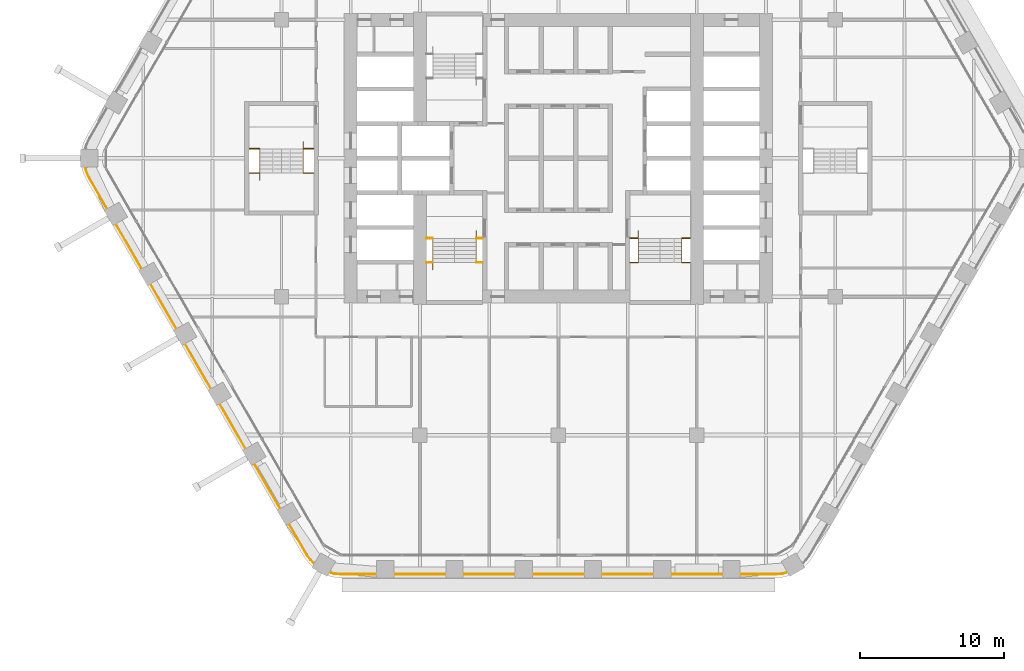
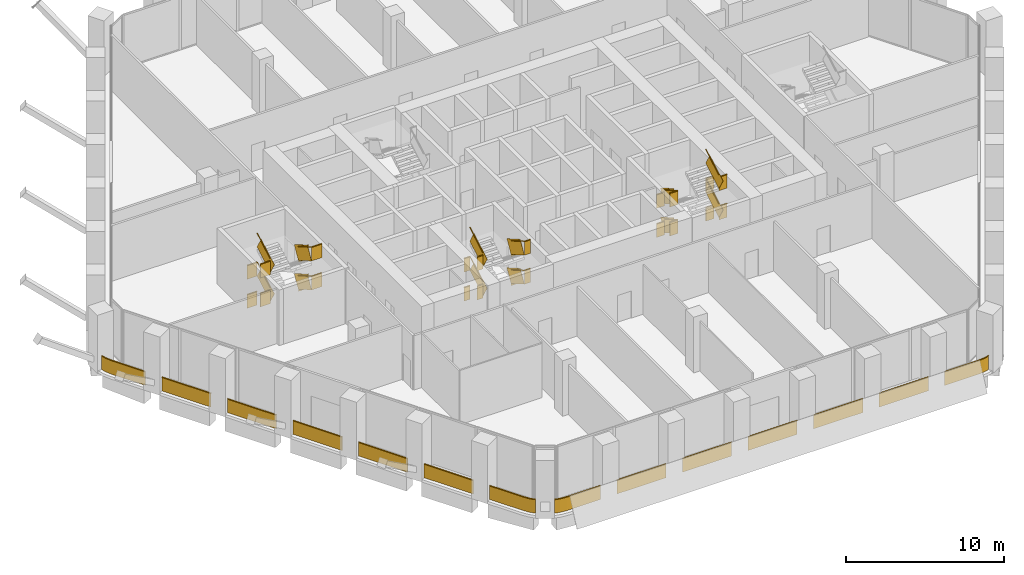
# One storey, part 25 of 27: 8 railings.
"""IFC4 building model written with IfcOpenShell, lengths in metres."""

from ifc_helpers import new_model, si_unit, direction, frame, frame_2d, origin, origin_2d, place, context, subcontext, project, spatial, rectangle, extrude, material, type_object, element, save


model = new_model("IFC4")

# Units and contexts
model_context = context("Model", 3, precision=1e-05, world=origin(), true_north=direction((0.0, 1.0)))
body_context = subcontext(model_context, "Body", "Model", "MODEL_VIEW")
ifc_project = project(units=[si_unit("LENGTHUNIT", "METRE"), si_unit("AREAUNIT", "SQUARE_METRE"), si_unit("VOLUMEUNIT", "CUBIC_METRE"), si_unit("PLANEANGLEUNIT", "RADIAN"), si_unit("MASSUNIT", "GRAM", prefix="KILO")], contexts=[model_context])

# Site, building, storey
site_placement = place(None, origin())
site = spatial("IfcSite", under=ifc_project, at=site_placement, CompositionType="ELEMENT")
building_placement = place(site_placement, origin())
building = spatial("IfcBuilding", under=site, at=building_placement, Name="Kolab Exchange Tower", CompositionType="ELEMENT")
storey_placement = place(building_placement, frame((0.0, 0.0, 118.39990234375)))
storey = spatial("IfcBuildingStorey", under=building, at=storey_placement, Name="L23", CompositionType="ELEMENT", Elevation=118.39990234375)

# Railings
ifc_material_1 = material(Name="Stainless steel 316", Category="steel")
railing_type_1 = type_object("IfcRailingType", Name="GUARD 1100", PredefinedType="GUARDRAIL", material=ifc_material_1)
railing_1_placement = place(storey_placement, frame((-9.14990234375, -5.550048828125, 0.0)))
element("IfcRailing", 1, at=railing_1_placement, inside=storey, type_object=railing_type_1, Name="Guard ST3", PredefinedType="GUARDRAIL", context=body_context, shape_type="SweptSolid", body=[
    extrude(rectangle(XDim=0.05, YDim=0.05, at=origin_2d()), frame((0.0, 0.0, 1.0751953125), z_axis=(1.0, 0.0, 0.0), x_axis=(0.0, 1.0, 0.0)), (0.0, 0.0, 1.0), 0.43994140625),
    extrude(rectangle(XDim=0.012, YDim=1.05009765625, at=frame_2d((0.0, 0.525146484375))), frame((0.0, 0.0, 0.0), z_axis=(1.0, 0.0, 0.0), x_axis=(0.0, 1.0, 0.0)), (0.0, 0.0, 1.0), 0.43994140625),
    extrude(rectangle(XDim=0.05, YDim=0.05, at=origin_2d()), frame((3.4599609375, 0.0, 1.0751953125), z_axis=(1.0, 0.0, 0.0), x_axis=(0.0, 1.0, 0.0)), (0.0, 0.0, 1.0), 0.43994140625),
    extrude(rectangle(XDim=0.012, YDim=1.05009765625, at=frame_2d((0.0, 0.525146484375))), frame((3.4599609375, 0.0, 0.0), z_axis=(1.0, 0.0, 0.0), x_axis=(0.0, 1.0, 0.0)), (0.0, 0.0, 1.0), 0.43994140625),
    extrude(rectangle(XDim=0.05, YDim=0.05, at=origin_2d()), frame((0.0, -1.679931640625, 2.2001953125), z_axis=(1.0, 0.0, 0.0), x_axis=(0.0, 1.0, 0.0)), (0.0, 0.0, 1.0), 0.43994140625),
    extrude(rectangle(XDim=0.012, YDim=1.05009765625, at=frame_2d((0.0, 0.525146484375))), frame((0.0, -1.679931640625, 1.125), z_axis=(1.0, 0.0, 0.0), x_axis=(0.0, 1.0, 0.0)), (0.0, 0.0, 1.0), 0.43994140625),
    extrude(rectangle(XDim=0.05, YDim=0.05, at=origin_2d()), frame((3.4599609375, -1.679931640625, 2.2001953125), z_axis=(1.0, 0.0, 0.0), x_axis=(0.0, 1.0, 0.0)), (0.0, 0.0, 1.0), 0.43994140625),
    extrude(rectangle(XDim=0.012, YDim=1.05009765625, at=frame_2d((0.0, 0.525146484375))), frame((3.4599609375, -1.679931640625, 1.125), z_axis=(1.0, 0.0, 0.0), x_axis=(0.0, 1.0, 0.0)), (0.0, 0.0, 1.0), 0.43994140625),
    extrude(rectangle(XDim=0.05, YDim=0.05, at=origin_2d()), frame((0.0, 0.0, 3.3251953125), z_axis=(1.0, 0.0, 0.0), x_axis=(0.0, 1.0, 0.0)), (0.0, 0.0, 1.0), 0.43994140625),
    extrude(rectangle(XDim=0.012, YDim=1.05009765625, at=frame_2d((0.0, 0.525146484375))), frame((0.0, 0.0, 2.25), z_axis=(1.0, 0.0, 0.0), x_axis=(0.0, 1.0, 0.0)), (0.0, 0.0, 1.0), 0.43994140625),
    extrude(rectangle(XDim=0.05, YDim=0.05, at=origin_2d()), frame((3.4599609375, 0.0, 3.3251953125), z_axis=(1.0, 0.0, 0.0), x_axis=(0.0, 1.0, 0.0)), (0.0, 0.0, 1.0), 0.43994140625),
    extrude(rectangle(XDim=0.012, YDim=1.05009765625, at=frame_2d((0.0, 0.525146484375))), frame((3.4599609375, 0.0, 2.25), z_axis=(1.0, 0.0, 0.0), x_axis=(0.0, 1.0, 0.0)), (0.0, 0.0, 1.0), 0.43994140625),
    extrude(rectangle(XDim=0.05, YDim=0.05, at=origin_2d()), frame((0.0, -1.679931640625, 4.4501953125), z_axis=(1.0, 0.0, 0.0), x_axis=(0.0, 1.0, 0.0)), (0.0, 0.0, 1.0), 0.43994140625),
    extrude(rectangle(XDim=0.012, YDim=1.05009765625, at=frame_2d((0.0, 0.525146484375))), frame((0.0, -1.679931640625, 3.375), z_axis=(1.0, 0.0, 0.0), x_axis=(0.0, 1.0, 0.0)), (0.0, 0.0, 1.0), 0.43994140625),
    extrude(rectangle(XDim=0.05, YDim=0.05, at=origin_2d()), frame((3.4599609375, -1.679931640625, 4.4501953125), z_axis=(1.0, 0.0, 0.0), x_axis=(0.0, 1.0, 0.0)), (0.0, 0.0, 1.0), 0.43994140625),
    extrude(rectangle(XDim=0.012, YDim=1.05009765625, at=frame_2d((0.0, 0.525146484375))), frame((3.4599609375, -1.679931640625, 3.375), z_axis=(1.0, 0.0, 0.0), x_axis=(0.0, 1.0, 0.0)), (0.0, 0.0, 1.0), 0.43994140625),
])
railing_2_placement = place(storey_placement, frame((-5.68994140625, -5.550048828125, 0.160888671875)))
element("IfcRailing", 2, at=railing_2_placement, inside=storey, type_object=railing_type_1, Name="Handrail guard ST3", PredefinedType="GUARDRAIL", context=body_context, shape_type="SweptSolid", body=[
    extrude(rectangle(XDim=0.05, YDim=0.05, at=origin_2d()), frame((0.0, 0.0, 1.0751953125), z_axis=(0.0, -0.867318599139, 0.497753400378), x_axis=(1.0, 0.0, 0.0)), (0.0, 0.0, 1.0), 1.93701171875),
    extrude(rectangle(XDim=0.012, YDim=1.05009765625, at=frame_2d((0.0, 0.525146484375))), frame((0.0, 0.0, 0.0), z_axis=(0.0, -0.867318599139, 0.497753400378), x_axis=(1.0, 0.0, 0.0)), (0.0, 0.0, 1.0), 1.93701171875),
    extrude(rectangle(XDim=0.05, YDim=0.05, at=origin_2d()), frame((-3.02001953125, -1.679931640625, 2.2001953125), z_axis=(0.0, 0.867318599139, 0.497753400378), x_axis=(-1.0, 0.0, 0.0)), (0.0, 0.0, 1.0), 1.93701171875),
    extrude(rectangle(XDim=0.012, YDim=1.05009765625, at=frame_2d((0.0, 0.525146484375))), frame((-3.02001953125, -1.679931640625, 1.125), z_axis=(0.0, 0.867318599139, 0.497753400378), x_axis=(-1.0, 0.0, 0.0)), (0.0, 0.0, 1.0), 1.93701171875),
    extrude(rectangle(XDim=0.05, YDim=0.05, at=origin_2d()), frame((0.0, 0.0, 3.3251953125), z_axis=(0.0, -0.867318599139, 0.497753400378), x_axis=(1.0, 0.0, 0.0)), (0.0, 0.0, 1.0), 1.93701171875),
    extrude(rectangle(XDim=0.012, YDim=1.05009765625, at=frame_2d((0.0, 0.525146484375))), frame((0.0, 0.0, 2.25), z_axis=(0.0, -0.867318599139, 0.497753400378), x_axis=(1.0, 0.0, 0.0)), (0.0, 0.0, 1.0), 1.93701171875),
    extrude(rectangle(XDim=0.05, YDim=0.05, at=origin_2d()), frame((-3.02001953125, -1.679931640625, 4.4501953125), z_axis=(0.0, 0.867318599139, 0.497753400378), x_axis=(-1.0, 0.0, 0.0)), (0.0, 0.0, 1.0), 1.93701171875),
    extrude(rectangle(XDim=0.012, YDim=1.05009765625, at=frame_2d((0.0, 0.525146484375))), frame((-3.02001953125, -1.679931640625, 3.375), z_axis=(0.0, 0.867318599139, 0.497753400378), x_axis=(-1.0, 0.0, 0.0)), (0.0, 0.0, 1.0), 1.93701171875),
])
railing_3_placement = place(storey_placement, frame((4.949951171875, -5.550048828125, 0.0)))
element("IfcRailing", 3, at=railing_3_placement, inside=storey, type_object=railing_type_1, Name="Guard ST2", PredefinedType="GUARDRAIL", context=body_context, shape_type="SweptSolid", body=[
    extrude(rectangle(XDim=0.05, YDim=0.05, at=origin_2d()), frame((0.0, 0.0, 1.0751953125), z_axis=(1.0, 0.0, 0.0), x_axis=(0.0, 1.0, 0.0)), (0.0, 0.0, 1.0), 0.590087890625),
    extrude(rectangle(XDim=0.012, YDim=1.05009765625, at=frame_2d((0.0, 0.525146484375))), frame((0.0, 0.0, 0.0), z_axis=(1.0, 0.0, 0.0), x_axis=(0.0, 1.0, 0.0)), (0.0, 0.0, 1.0), 0.590087890625),
    extrude(rectangle(XDim=0.05, YDim=0.05, at=origin_2d()), frame((3.610107421875, 0.0, 1.0751953125), z_axis=(1.0, 0.0, 0.0), x_axis=(0.0, 1.0, 0.0)), (0.0, 0.0, 1.0), 0.58984375),
    extrude(rectangle(XDim=0.012, YDim=1.05009765625, at=frame_2d((0.0, 0.525146484375))), frame((3.610107421875, 0.0, 0.0), z_axis=(1.0, 0.0, 0.0), x_axis=(0.0, 1.0, 0.0)), (0.0, 0.0, 1.0), 0.58984375),
    extrude(rectangle(XDim=0.05, YDim=0.05, at=origin_2d()), frame((0.0, -1.679931640625, 2.2001953125), z_axis=(1.0, 0.0, 0.0), x_axis=(0.0, 1.0, 0.0)), (0.0, 0.0, 1.0), 0.590087890625),
    extrude(rectangle(XDim=0.012, YDim=1.05009765625, at=frame_2d((0.0, 0.525146484375))), frame((0.0, -1.679931640625, 1.125), z_axis=(1.0, 0.0, 0.0), x_axis=(0.0, 1.0, 0.0)), (0.0, 0.0, 1.0), 0.590087890625),
    extrude(rectangle(XDim=0.05, YDim=0.05, at=origin_2d()), frame((3.610107421875, -1.679931640625, 2.2001953125), z_axis=(1.0, 0.0, 0.0), x_axis=(0.0, 1.0, 0.0)), (0.0, 0.0, 1.0), 0.58984375),
    extrude(rectangle(XDim=0.012, YDim=1.05009765625, at=frame_2d((0.0, 0.525146484375))), frame((3.610107421875, -1.679931640625, 1.125), z_axis=(1.0, 0.0, 0.0), x_axis=(0.0, 1.0, 0.0)), (0.0, 0.0, 1.0), 0.58984375),
    extrude(rectangle(XDim=0.05, YDim=0.05, at=origin_2d()), frame((0.0, 0.0, 3.3251953125), z_axis=(1.0, 0.0, 0.0), x_axis=(0.0, 1.0, 0.0)), (0.0, 0.0, 1.0), 0.590087890625),
    extrude(rectangle(XDim=0.012, YDim=1.05009765625, at=frame_2d((0.0, 0.525146484375))), frame((0.0, 0.0, 2.25), z_axis=(1.0, 0.0, 0.0), x_axis=(0.0, 1.0, 0.0)), (0.0, 0.0, 1.0), 0.590087890625),
    extrude(rectangle(XDim=0.05, YDim=0.05, at=origin_2d()), frame((3.610107421875, 0.0, 3.3251953125), z_axis=(1.0, 0.0, 0.0), x_axis=(0.0, 1.0, 0.0)), (0.0, 0.0, 1.0), 0.58984375),
    extrude(rectangle(XDim=0.012, YDim=1.05009765625, at=frame_2d((0.0, 0.525146484375))), frame((3.610107421875, 0.0, 2.25), z_axis=(1.0, 0.0, 0.0), x_axis=(0.0, 1.0, 0.0)), (0.0, 0.0, 1.0), 0.58984375),
    extrude(rectangle(XDim=0.05, YDim=0.05, at=origin_2d()), frame((0.0, -1.679931640625, 4.4501953125), z_axis=(1.0, 0.0, 0.0), x_axis=(0.0, 1.0, 0.0)), (0.0, 0.0, 1.0), 0.590087890625),
    extrude(rectangle(XDim=0.012, YDim=1.05009765625, at=frame_2d((0.0, 0.525146484375))), frame((0.0, -1.679931640625, 3.375), z_axis=(1.0, 0.0, 0.0), x_axis=(0.0, 1.0, 0.0)), (0.0, 0.0, 1.0), 0.590087890625),
    extrude(rectangle(XDim=0.05, YDim=0.05, at=origin_2d()), frame((3.610107421875, -1.679931640625, 4.4501953125), z_axis=(1.0, 0.0, 0.0), x_axis=(0.0, 1.0, 0.0)), (0.0, 0.0, 1.0), 0.58984375),
    extrude(rectangle(XDim=0.012, YDim=1.05009765625, at=frame_2d((0.0, 0.525146484375))), frame((3.610107421875, -1.679931640625, 3.375), z_axis=(1.0, 0.0, 0.0), x_axis=(0.0, 1.0, 0.0)), (0.0, 0.0, 1.0), 0.58984375),
])
railing_4_placement = place(storey_placement, frame((5.5400390625, -5.550048828125, 0.160888671875)))
element("IfcRailing", 4, at=railing_4_placement, inside=storey, type_object=railing_type_1, Name="Handrail guard ST2", PredefinedType="GUARDRAIL", context=body_context, shape_type="SweptSolid", body=[
    extrude(rectangle(XDim=0.05, YDim=0.05, at=origin_2d()), frame((0.0, 0.0, 1.0751953125), z_axis=(0.0, -0.867318599139, 0.497753400378), x_axis=(1.0, 0.0, 0.0)), (0.0, 0.0, 1.0), 1.93701171875),
    extrude(rectangle(XDim=0.012, YDim=1.05009765625, at=frame_2d((0.0, 0.525146484375))), frame((0.0, 0.0, 0.0), z_axis=(0.0, -0.867318599139, 0.497753400378), x_axis=(1.0, 0.0, 0.0)), (0.0, 0.0, 1.0), 1.93701171875),
    extrude(rectangle(XDim=0.05, YDim=0.05, at=origin_2d()), frame((3.02001953125, -1.679931640625, 2.2001953125), z_axis=(0.0, 0.867318599139, 0.497753400378), x_axis=(-1.0, 0.0, 0.0)), (0.0, 0.0, 1.0), 1.93701171875),
    extrude(rectangle(XDim=0.012, YDim=1.05009765625, at=frame_2d((0.0, 0.525146484375))), frame((3.02001953125, -1.679931640625, 1.125), z_axis=(0.0, 0.867318599139, 0.497753400378), x_axis=(-1.0, 0.0, 0.0)), (0.0, 0.0, 1.0), 1.93701171875),
    extrude(rectangle(XDim=0.05, YDim=0.05, at=origin_2d()), frame((0.0, 0.0, 3.3251953125), z_axis=(0.0, -0.867318599139, 0.497753400378), x_axis=(1.0, 0.0, 0.0)), (0.0, 0.0, 1.0), 1.93701171875),
    extrude(rectangle(XDim=0.012, YDim=1.05009765625, at=frame_2d((0.0, 0.525146484375))), frame((0.0, 0.0, 2.25), z_axis=(0.0, -0.867318599139, 0.497753400378), x_axis=(1.0, 0.0, 0.0)), (0.0, 0.0, 1.0), 1.93701171875),
    extrude(rectangle(XDim=0.05, YDim=0.05, at=origin_2d()), frame((3.02001953125, -1.679931640625, 4.4501953125), z_axis=(0.0, 0.867318599139, 0.497753400378), x_axis=(-1.0, 0.0, 0.0)), (0.0, 0.0, 1.0), 1.93701171875),
    extrude(rectangle(XDim=0.012, YDim=1.05009765625, at=frame_2d((0.0, 0.525146484375))), frame((3.02001953125, -1.679931640625, 3.375), z_axis=(0.0, 0.867318599139, 0.497753400378), x_axis=(-1.0, 0.0, 0.0)), (0.0, 0.0, 1.0), 1.93701171875),
])
railing_5_placement = place(storey_placement, frame((-21.449951171875, 0.64990234375, 0.0)))
element("IfcRailing", 5, at=railing_5_placement, inside=storey, type_object=railing_type_1, Name="Guard ST5", PredefinedType="GUARDRAIL", context=body_context, shape_type="SweptSolid", body=[
    extrude(rectangle(XDim=0.05, YDim=0.05, at=origin_2d()), frame((0.0, 0.0, 1.0751953125), z_axis=(1.0, 0.0, 0.0), x_axis=(0.0, 1.0, 0.0)), (0.0, 0.0, 1.0), 0.739990234375),
    extrude(rectangle(XDim=0.012, YDim=1.05009765625, at=frame_2d((0.0, 0.525146484375))), frame((0.0, 0.0, 0.0), z_axis=(1.0, 0.0, 0.0), x_axis=(0.0, 1.0, 0.0)), (0.0, 0.0, 1.0), 0.739990234375),
    extrude(rectangle(XDim=0.05, YDim=0.05, at=origin_2d()), frame((3.760009765625, 0.0, 1.0751953125), z_axis=(1.0, 0.0, 0.0), x_axis=(0.0, 1.0, 0.0)), (0.0, 0.0, 1.0), 0.739990234375),
    extrude(rectangle(XDim=0.012, YDim=1.05009765625, at=frame_2d((0.0, 0.525146484375))), frame((3.760009765625, 0.0, 0.0), z_axis=(1.0, 0.0, 0.0), x_axis=(0.0, 1.0, 0.0)), (0.0, 0.0, 1.0), 0.739990234375),
    extrude(rectangle(XDim=0.05, YDim=0.05, at=origin_2d()), frame((0.0, -1.679931640625, 2.2001953125), z_axis=(1.0, 0.0, 0.0), x_axis=(0.0, 1.0, 0.0)), (0.0, 0.0, 1.0), 0.739990234375),
    extrude(rectangle(XDim=0.012, YDim=1.05009765625, at=frame_2d((0.0, 0.525146484375))), frame((0.0, -1.679931640625, 1.125), z_axis=(1.0, 0.0, 0.0), x_axis=(0.0, 1.0, 0.0)), (0.0, 0.0, 1.0), 0.739990234375),
    extrude(rectangle(XDim=0.05, YDim=0.05, at=origin_2d()), frame((3.760009765625, -1.679931640625, 2.2001953125), z_axis=(1.0, 0.0, 0.0), x_axis=(0.0, 1.0, 0.0)), (0.0, 0.0, 1.0), 0.739990234375),
    extrude(rectangle(XDim=0.012, YDim=1.05009765625, at=frame_2d((0.0, 0.525146484375))), frame((3.760009765625, -1.679931640625, 1.125), z_axis=(1.0, 0.0, 0.0), x_axis=(0.0, 1.0, 0.0)), (0.0, 0.0, 1.0), 0.739990234375),
    extrude(rectangle(XDim=0.05, YDim=0.05, at=origin_2d()), frame((0.0, 0.0, 3.3251953125), z_axis=(1.0, 0.0, 0.0), x_axis=(0.0, 1.0, 0.0)), (0.0, 0.0, 1.0), 0.739990234375),
    extrude(rectangle(XDim=0.012, YDim=1.05009765625, at=frame_2d((0.0, 0.525146484375))), frame((0.0, 0.0, 2.25), z_axis=(1.0, 0.0, 0.0), x_axis=(0.0, 1.0, 0.0)), (0.0, 0.0, 1.0), 0.739990234375),
    extrude(rectangle(XDim=0.05, YDim=0.05, at=origin_2d()), frame((3.760009765625, 0.0, 3.3251953125), z_axis=(1.0, 0.0, 0.0), x_axis=(0.0, 1.0, 0.0)), (0.0, 0.0, 1.0), 0.739990234375),
    extrude(rectangle(XDim=0.012, YDim=1.05009765625, at=frame_2d((0.0, 0.525146484375))), frame((3.760009765625, 0.0, 2.25), z_axis=(1.0, 0.0, 0.0), x_axis=(0.0, 1.0, 0.0)), (0.0, 0.0, 1.0), 0.739990234375),
    extrude(rectangle(XDim=0.05, YDim=0.05, at=origin_2d()), frame((0.0, -1.679931640625, 4.4501953125), z_axis=(1.0, 0.0, 0.0), x_axis=(0.0, 1.0, 0.0)), (0.0, 0.0, 1.0), 0.739990234375),
    extrude(rectangle(XDim=0.012, YDim=1.05009765625, at=frame_2d((0.0, 0.525146484375))), frame((0.0, -1.679931640625, 3.375), z_axis=(1.0, 0.0, 0.0), x_axis=(0.0, 1.0, 0.0)), (0.0, 0.0, 1.0), 0.739990234375),
    extrude(rectangle(XDim=0.05, YDim=0.05, at=origin_2d()), frame((3.760009765625, -1.679931640625, 4.4501953125), z_axis=(1.0, 0.0, 0.0), x_axis=(0.0, 1.0, 0.0)), (0.0, 0.0, 1.0), 0.739990234375),
    extrude(rectangle(XDim=0.012, YDim=1.05009765625, at=frame_2d((0.0, 0.525146484375))), frame((3.760009765625, -1.679931640625, 3.375), z_axis=(1.0, 0.0, 0.0), x_axis=(0.0, 1.0, 0.0)), (0.0, 0.0, 1.0), 0.739990234375),
])
railing_6_placement = place(storey_placement, frame((-17.68994140625, 0.64990234375, 0.160888671875)))
element("IfcRailing", 6, at=railing_6_placement, inside=storey, type_object=railing_type_1, Name="Handrail guard ST5", PredefinedType="GUARDRAIL", context=body_context, shape_type="SweptSolid", body=[
    extrude(rectangle(XDim=0.05, YDim=0.05, at=origin_2d()), frame((0.0, 0.0, 1.0751953125), z_axis=(0.0, -0.867318599139, 0.497753400378), x_axis=(1.0, 0.0, 0.0)), (0.0, 0.0, 1.0), 1.93701171875),
    extrude(rectangle(XDim=0.012, YDim=1.05009765625, at=frame_2d((0.0, 0.525146484375))), frame((0.0, 0.0, 0.0), z_axis=(0.0, -0.867318599139, 0.497753400378), x_axis=(1.0, 0.0, 0.0)), (0.0, 0.0, 1.0), 1.93701171875),
    extrude(rectangle(XDim=0.05, YDim=0.05, at=origin_2d()), frame((-3.02001953125, -1.679931640625, 2.2001953125), z_axis=(0.0, 0.867318599139, 0.497753400378), x_axis=(-1.0, 0.0, 0.0)), (0.0, 0.0, 1.0), 1.93701171875),
    extrude(rectangle(XDim=0.012, YDim=1.05009765625, at=frame_2d((0.0, 0.525146484375))), frame((-3.02001953125, -1.679931640625, 1.125), z_axis=(0.0, 0.867318599139, 0.497753400378), x_axis=(-1.0, 0.0, 0.0)), (0.0, 0.0, 1.0), 1.93701171875),
    extrude(rectangle(XDim=0.05, YDim=0.05, at=origin_2d()), frame((0.0, 0.0, 3.3251953125), z_axis=(0.0, -0.867318599139, 0.497753400378), x_axis=(1.0, 0.0, 0.0)), (0.0, 0.0, 1.0), 1.93701171875),
    extrude(rectangle(XDim=0.012, YDim=1.05009765625, at=frame_2d((0.0, 0.525146484375))), frame((0.0, 0.0, 2.25), z_axis=(0.0, -0.867318599139, 0.497753400378), x_axis=(1.0, 0.0, 0.0)), (0.0, 0.0, 1.0), 1.93701171875),
    extrude(rectangle(XDim=0.05, YDim=0.05, at=origin_2d()), frame((-3.02001953125, -1.679931640625, 4.4501953125), z_axis=(0.0, 0.867318599139, 0.497753400378), x_axis=(-1.0, 0.0, 0.0)), (0.0, 0.0, 1.0), 1.93701171875),
    extrude(rectangle(XDim=0.012, YDim=1.05009765625, at=frame_2d((0.0, 0.525146484375))), frame((-3.02001953125, -1.679931640625, 3.375), z_axis=(0.0, 0.867318599139, 0.497753400378), x_axis=(-1.0, 0.0, 0.0)), (0.0, 0.0, 1.0), 1.93701171875),
])
ifc_material_2 = material(Name="Steel S235", Category="steel")
railing_type_2 = type_object("IfcRailingType", Name="GUARD 1100 GLASS BALUSTRADE AND STEEL TOP RAIL", PredefinedType="GUARDRAIL", material=ifc_material_2)
railing_7_placement = place(storey_placement, frame((-15.89208984375, -28.7138671875, 0.0)))
element("IfcRailing", 7, at=railing_7_placement, inside=storey, type_object=railing_type_2, Name="Guard", PredefinedType="GUARDRAIL", context=body_context, shape_type="SweptSolid", body=[
    extrude(rectangle(XDim=0.05, YDim=0.05, at=origin_2d()), frame((0.0, 0.0, 1.0751953125), z_axis=(0.966008746817, -0.258509382951, 0.0), x_axis=(0.258509382951, 0.966008746817, 0.0)), (0.0, 0.0, 1.0), 0.35888671875),
    extrude(rectangle(XDim=0.012, YDim=1.05009765625, at=frame_2d((0.0, 0.525146484375))), frame((0.0, 0.0, 0.0), z_axis=(0.966008746817, -0.258509382951, 0.0), x_axis=(0.258509382951, 0.966008746817, 0.0)), (0.0, 0.0, 1.0), 0.35888671875),
    extrude(rectangle(XDim=0.05, YDim=0.05, at=origin_2d()), frame((0.3466796875, -0.0927734375, 1.0751953125), z_axis=(0.996200348447, -0.087091134757, 0.0), x_axis=(0.087091134757, 0.996200348447, 0.0)), (0.0, 0.0, 1.0), 0.479248046875),
    extrude(rectangle(XDim=0.012, YDim=1.05009765625, at=frame_2d((0.0, 0.525146484375))), frame((0.3466796875, -0.0927734375, 0.0), z_axis=(0.996200348447, -0.087091134757, 0.0), x_axis=(0.087091134757, 0.996200348447, 0.0)), (0.0, 0.0, 1.0), 0.479248046875),
    extrude(rectangle(XDim=0.05, YDim=0.05, at=origin_2d()), frame((0.82421875, -0.134521484375, 1.0751953125), z_axis=(1.0, 0.0, 0.0), x_axis=(0.0, 1.0, 0.0)), (0.0, 0.0, 1.0), 2.4677734375),
    extrude(rectangle(XDim=0.012, YDim=1.05009765625, at=frame_2d((0.0, 0.525146484375))), frame((0.82421875, -0.134521484375, 0.0), z_axis=(1.0, 0.0, 0.0), x_axis=(0.0, 1.0, 0.0)), (0.0, 0.0, 1.0), 2.4677734375),
    extrude(rectangle(XDim=0.05, YDim=0.05, at=origin_2d()), frame((4.4921875, -0.134521484375, 1.0751953125), z_axis=(1.0, 0.0, 0.0), x_axis=(0.0, 1.0, 0.0)), (0.0, 0.0, 1.0), 3.599853515625),
    extrude(rectangle(XDim=0.012, YDim=1.05009765625, at=frame_2d((0.0, 0.525146484375))), frame((4.4921875, -0.134521484375, 0.0), z_axis=(1.0, 0.0, 0.0), x_axis=(0.0, 1.0, 0.0)), (0.0, 0.0, 1.0), 3.599853515625),
    extrude(rectangle(XDim=0.05, YDim=0.05, at=origin_2d()), frame((9.2919921875, -0.134521484375, 1.0751953125), z_axis=(1.0, 0.0, 0.0), x_axis=(0.0, 1.0, 0.0)), (0.0, 0.0, 1.0), 3.60009765625),
    extrude(rectangle(XDim=0.012, YDim=1.05009765625, at=frame_2d((0.0, 0.525146484375))), frame((9.2919921875, -0.134521484375, 0.0), z_axis=(1.0, 0.0, 0.0), x_axis=(0.0, 1.0, 0.0)), (0.0, 0.0, 1.0), 3.60009765625),
    extrude(rectangle(XDim=0.05, YDim=0.05, at=origin_2d()), frame((14.092041015625, -0.134521484375, 1.0751953125), z_axis=(1.0, 0.0, 0.0), x_axis=(0.0, 1.0, 0.0)), (0.0, 0.0, 1.0), 3.60009765625),
    extrude(rectangle(XDim=0.012, YDim=1.05009765625, at=frame_2d((0.0, 0.525146484375))), frame((14.092041015625, -0.134521484375, 0.0), z_axis=(1.0, 0.0, 0.0), x_axis=(0.0, 1.0, 0.0)), (0.0, 0.0, 1.0), 3.60009765625),
    extrude(rectangle(XDim=0.05, YDim=0.05, at=origin_2d()), frame((18.89208984375, -0.134521484375, 1.0751953125), z_axis=(1.0, 0.0, 0.0), x_axis=(0.0, 1.0, 0.0)), (0.0, 0.0, 1.0), 3.60009765625),
    extrude(rectangle(XDim=0.012, YDim=1.05009765625, at=frame_2d((0.0, 0.525146484375))), frame((18.89208984375, -0.134521484375, 0.0), z_axis=(1.0, 0.0, 0.0), x_axis=(0.0, 1.0, 0.0)), (0.0, 0.0, 1.0), 3.60009765625),
    extrude(rectangle(XDim=0.05, YDim=0.05, at=origin_2d()), frame((23.692138671875, -0.134521484375, 1.0751953125), z_axis=(1.0, 0.0, 0.0), x_axis=(0.0, 1.0, 0.0)), (0.0, 0.0, 1.0), 3.599853515625),
    extrude(rectangle(XDim=0.012, YDim=1.05009765625, at=frame_2d((0.0, 0.525146484375))), frame((23.692138671875, -0.134521484375, 0.0), z_axis=(1.0, 0.0, 0.0), x_axis=(0.0, 1.0, 0.0)), (0.0, 0.0, 1.0), 3.599853515625),
    extrude(rectangle(XDim=0.05, YDim=0.05, at=origin_2d()), frame((28.4921875, -0.134521484375, 1.0751953125), z_axis=(1.0, 0.0, 0.0), x_axis=(0.0, 1.0, 0.0)), (0.0, 0.0, 1.0), 2.4677734375),
    extrude(rectangle(XDim=0.012, YDim=1.05009765625, at=frame_2d((0.0, 0.525146484375))), frame((28.4921875, -0.134521484375, 0.0), z_axis=(1.0, 0.0, 0.0), x_axis=(0.0, 1.0, 0.0)), (0.0, 0.0, 1.0), 2.4677734375),
    extrude(rectangle(XDim=0.05, YDim=0.05, at=origin_2d()), frame((30.9599609375, -0.134521484375, 1.0751953125), z_axis=(0.996200348447, 0.087091134757, 0.0), x_axis=(-0.087091134757, 0.996200348447, 0.0)), (0.0, 0.0, 1.0), 0.479248046875),
    extrude(rectangle(XDim=0.012, YDim=1.05009765625, at=frame_2d((0.0, 0.525146484375))), frame((30.9599609375, -0.134521484375, 0.0), z_axis=(0.996200348447, 0.087091134757, 0.0), x_axis=(-0.087091134757, 0.996200348447, 0.0)), (0.0, 0.0, 1.0), 0.479248046875),
    extrude(rectangle(XDim=0.05, YDim=0.05, at=origin_2d()), frame((31.4375, -0.0927734375, 1.0751953125), z_axis=(0.966008746817, 0.258509382951, 0.0), x_axis=(-0.258509382951, 0.966008746817, 0.0)), (0.0, 0.0, 1.0), 0.35888671875),
    extrude(rectangle(XDim=0.012, YDim=1.05009765625, at=frame_2d((0.0, 0.525146484375))), frame((31.4375, -0.0927734375, 0.0), z_axis=(0.966008746817, 0.258509382951, 0.0), x_axis=(-0.258509382951, 0.966008746817, 0.0)), (0.0, 0.0, 1.0), 0.35888671875),
])
railing_8_placement = place(storey_placement, frame((-32.81298828125, -0.593994140625, 0.0)))
element("IfcRailing", 8, at=railing_8_placement, inside=storey, type_object=railing_type_2, Name="Guard", PredefinedType="GUARDRAIL", context=body_context, shape_type="SweptSolid", body=[
    extrude(rectangle(XDim=0.05, YDim=0.05, at=origin_2d()), frame((0.0, 0.0, 1.0751953125), z_axis=(0.259144041577, -0.965838685141, 0.0), x_axis=(0.965838685141, 0.259144041577, 0.0)), (0.0, 0.0, 1.0), 0.35888671875),
    extrude(rectangle(XDim=0.012, YDim=1.05009765625, at=frame_2d((0.0, 0.525146484375))), frame((0.0, 0.0, 0.0), z_axis=(0.259144041577, -0.965838685141, 0.0), x_axis=(0.965838685141, 0.259144041577, 0.0)), (0.0, 0.0, 1.0), 0.35888671875),
    extrude(rectangle(XDim=0.05, YDim=0.05, at=origin_2d()), frame((0.093017578125, -0.3466796875, 1.0751953125), z_axis=(0.422383329074, -0.906417300872, 0.0), x_axis=(0.906417300872, 0.422383329074, 0.0)), (0.0, 0.0, 1.0), 0.479248046875),
    extrude(rectangle(XDim=0.012, YDim=1.05009765625, at=frame_2d((0.0, 0.525146484375))), frame((0.093017578125, -0.3466796875, 0.0), z_axis=(0.422383329074, -0.906417300872, 0.0), x_axis=(0.906417300872, 0.422383329074, 0.0)), (0.0, 0.0, 1.0), 0.479248046875),
    extrude(rectangle(XDim=0.05, YDim=0.05, at=origin_2d()), frame((0.29541015625, -0.781005859375, 1.0751953125), z_axis=(0.500064973171, -0.865987888257, 0.0), x_axis=(0.865987888257, 0.500064973171, 0.0)), (0.0, 0.0, 1.0), 2.468017578125),
    extrude(rectangle(XDim=0.012, YDim=1.05009765625, at=frame_2d((0.0, 0.525146484375))), frame((0.29541015625, -0.781005859375, 0.0), z_axis=(0.500064973171, -0.865987888257, 0.0), x_axis=(0.865987888257, 0.500064973171, 0.0)), (0.0, 0.0, 1.0), 2.468017578125),
    extrude(rectangle(XDim=0.05, YDim=0.05, at=origin_2d()), frame((2.12939453125, -3.95751953125, 1.0751953125), z_axis=(0.500012057535, -0.866018442252, 0.0), x_axis=(0.866018442252, 0.500012057535, 0.0)), (0.0, 0.0, 1.0), 3.60009765625),
    extrude(rectangle(XDim=0.012, YDim=1.05009765625, at=frame_2d((0.0, 0.525146484375))), frame((2.12939453125, -3.95751953125, 0.0), z_axis=(0.500012057535, -0.866018442252, 0.0), x_axis=(0.866018442252, 0.500012057535, 0.0)), (0.0, 0.0, 1.0), 3.60009765625),
    extrude(rectangle(XDim=0.05, YDim=0.05, at=origin_2d()), frame((4.529541015625, -8.114501953125, 1.0751953125), z_axis=(0.500012057535, -0.866018442252, 0.0), x_axis=(0.866018442252, 0.500012057535, 0.0)), (0.0, 0.0, 1.0), 3.60009765625),
    extrude(rectangle(XDim=0.012, YDim=1.05009765625, at=frame_2d((0.0, 0.525146484375))), frame((4.529541015625, -8.114501953125, 0.0), z_axis=(0.500012057535, -0.866018442252, 0.0), x_axis=(0.866018442252, 0.500012057535, 0.0)), (0.0, 0.0, 1.0), 3.60009765625),
    extrude(rectangle(XDim=0.05, YDim=0.05, at=origin_2d()), frame((6.929443359375, -12.271484375, 1.0751953125), z_axis=(0.500012057535, -0.866018442252, 0.0), x_axis=(0.866018442252, 0.500012057535, 0.0)), (0.0, 0.0, 1.0), 3.60009765625),
    extrude(rectangle(XDim=0.012, YDim=1.05009765625, at=frame_2d((0.0, 0.525146484375))), frame((6.929443359375, -12.271484375, 0.0), z_axis=(0.500012057535, -0.866018442252, 0.0), x_axis=(0.866018442252, 0.500012057535, 0.0)), (0.0, 0.0, 1.0), 3.60009765625),
    extrude(rectangle(XDim=0.05, YDim=0.05, at=origin_2d()), frame((9.32958984375, -16.42822265625, 1.0751953125), z_axis=(0.499961193289, -0.866047807691, 0.0), x_axis=(0.866047807691, 0.499961193289, 0.0)), (0.0, 0.0, 1.0), 3.599853515625),
    extrude(rectangle(XDim=0.012, YDim=1.05009765625, at=frame_2d((0.0, 0.525146484375))), frame((9.32958984375, -16.42822265625, 0.0), z_axis=(0.499961193289, -0.866047807691, 0.0), x_axis=(0.866047807691, 0.499961193289, 0.0)), (0.0, 0.0, 1.0), 3.599853515625),
    extrude(rectangle(XDim=0.05, YDim=0.05, at=origin_2d()), frame((11.7294921875, -20.585205078125, 1.0751953125), z_axis=(0.500012057535, -0.866018442252, 0.0), x_axis=(0.866018442252, 0.500012057535, 0.0)), (0.0, 0.0, 1.0), 3.60009765625),
    extrude(rectangle(XDim=0.012, YDim=1.05009765625, at=frame_2d((0.0, 0.525146484375))), frame((11.7294921875, -20.585205078125, 0.0), z_axis=(0.500012057535, -0.866018442252, 0.0), x_axis=(0.866018442252, 0.500012057535, 0.0)), (0.0, 0.0, 1.0), 3.60009765625),
    extrude(rectangle(XDim=0.05, YDim=0.05, at=origin_2d()), frame((14.12939453125, -24.7421875, 1.0751953125), z_axis=(0.500064973171, -0.865987888257, 0.0), x_axis=(0.865987888257, 0.500064973171, 0.0)), (0.0, 0.0, 1.0), 2.468017578125),
    extrude(rectangle(XDim=0.012, YDim=1.05009765625, at=frame_2d((0.0, 0.525146484375))), frame((14.12939453125, -24.7421875, 0.0), z_axis=(0.500064973171, -0.865987888257, 0.0), x_axis=(0.865987888257, 0.500064973171, 0.0)), (0.0, 0.0, 1.0), 2.468017578125),
    extrude(rectangle(XDim=0.05, YDim=0.05, at=origin_2d()), frame((15.363525390625, -26.87939453125, 1.0751953125), z_axis=(0.573359816273, -0.819303680624, 0.0), x_axis=(0.819303680624, 0.573359816273, 0.0)), (0.0, 0.0, 1.0), 0.4794921875),
    extrude(rectangle(XDim=0.012, YDim=1.05009765625, at=frame_2d((0.0, 0.525146484375))), frame((15.363525390625, -26.87939453125, 0.0), z_axis=(0.573359816273, -0.819303680624, 0.0), x_axis=(0.819303680624, 0.573359816273, 0.0)), (0.0, 0.0, 1.0), 0.4794921875),
    extrude(rectangle(XDim=0.05, YDim=0.05, at=origin_2d()), frame((15.638427734375, -27.272216796875, 1.0751953125), z_axis=(0.707106781187, -0.707106781187, 0.0), x_axis=(0.707106781187, 0.707106781187, 0.0)), (0.0, 0.0, 1.0), 0.358642578125),
    extrude(rectangle(XDim=0.012, YDim=1.05009765625, at=frame_2d((0.0, 0.525146484375))), frame((15.638427734375, -27.272216796875, 0.0), z_axis=(0.707106781187, -0.707106781187, 0.0), x_axis=(0.707106781187, 0.707106781187, 0.0)), (0.0, 0.0, 1.0), 0.358642578125),
])

save(model, "model.ifc")
